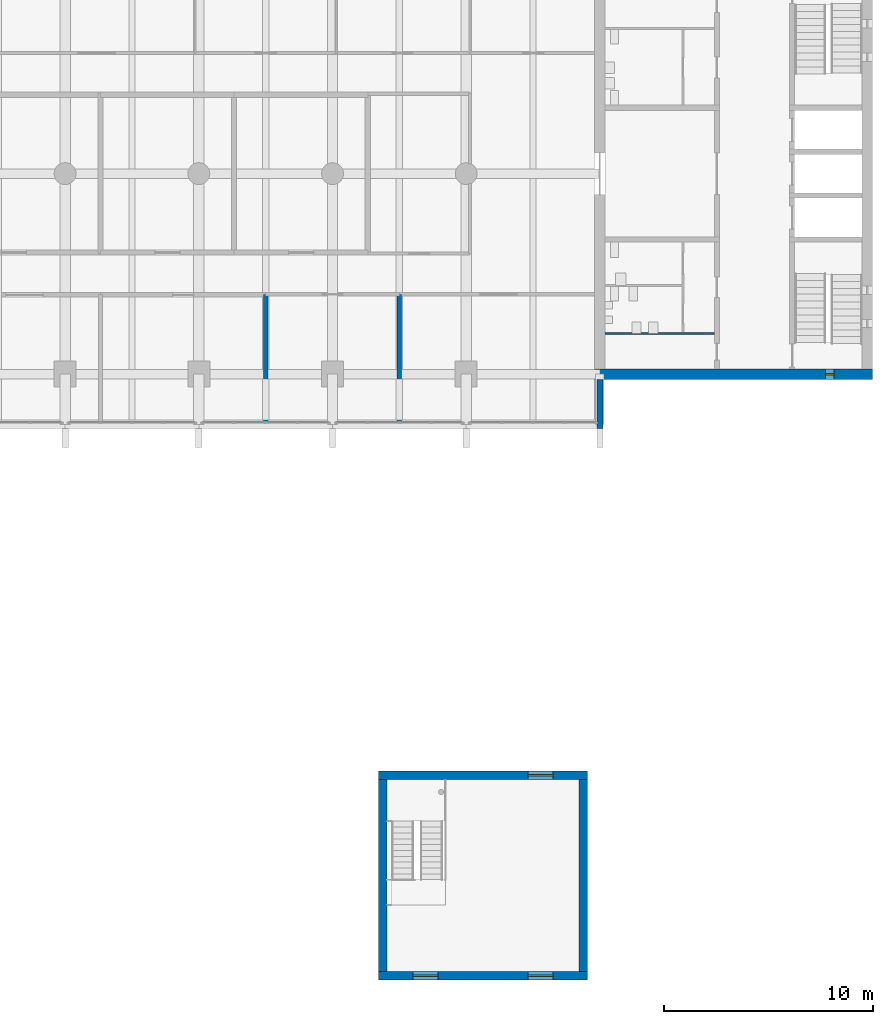
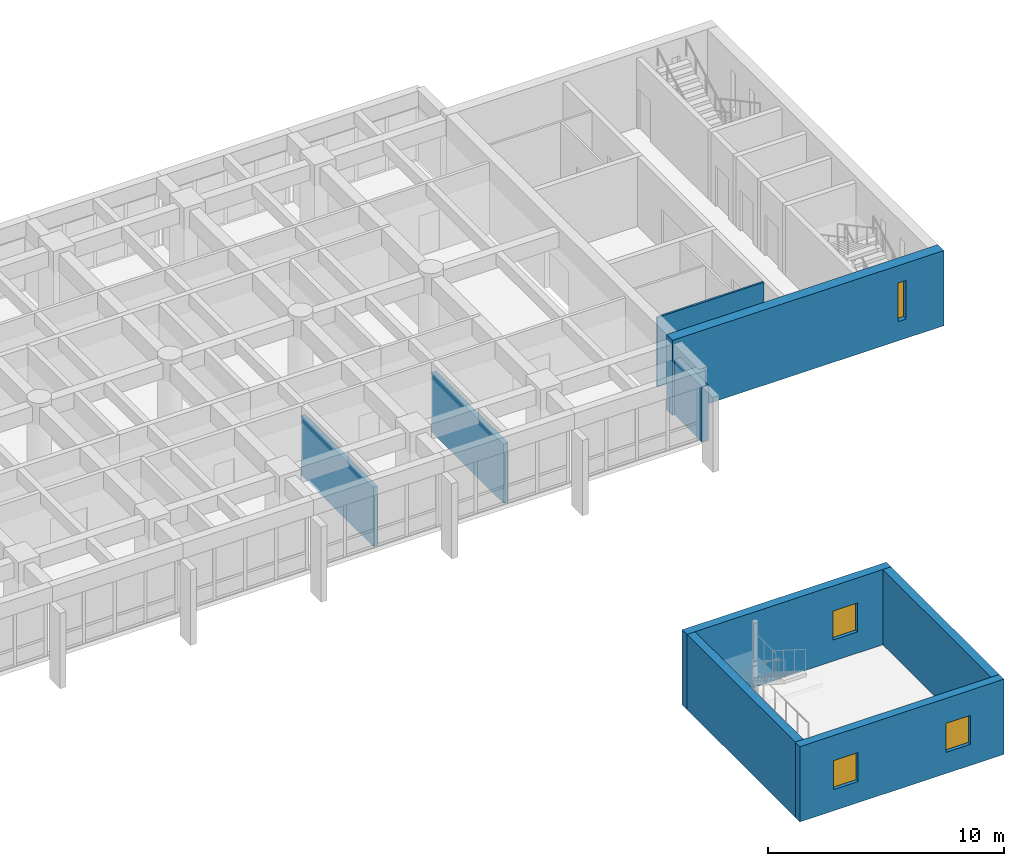
# One storey, part 10 of 19: 9 walls, 4 windows, 4 openings.
"""IFC4 building model written with IfcOpenShell, lengths in metres."""

from ifc_helpers import new_model, si_unit, direction, frame, frame_2d, origin, place, context, subcontext, project, spatial, rectangle, extrude, material, layer, layer_set, type_object, element, fill, save


model = new_model("IFC4")

# Units and contexts
model_context = context("Model", 3, precision=1e-05, world=origin(), true_north=direction((0.0, 1.0)))
body_context = subcontext(model_context, "Body", "Model", "MODEL_VIEW")
ifc_project = project(units=[si_unit("LENGTHUNIT", "METRE"), si_unit("AREAUNIT", "SQUARE_METRE"), si_unit("VOLUMEUNIT", "CUBIC_METRE"), si_unit("PLANEANGLEUNIT", "RADIAN"), si_unit("MASSUNIT", "GRAM", prefix="KILO")], contexts=[model_context])

# Site, building, storey
site_placement = place(None, origin())
site = spatial("IfcSite", under=ifc_project, at=site_placement, CompositionType="ELEMENT")
building_placement = place(site_placement, origin())
building = spatial("IfcBuilding", under=site, at=building_placement, Name="Fogon Plaza Fire Station and Headquarters Tower", CompositionType="ELEMENT")
storey_placement = place(building_placement, frame((0.0, 0.0, 21.0)))
storey = spatial("IfcBuildingStorey", under=building, at=storey_placement, Name="L05", CompositionType="ELEMENT", Elevation=21.0)

# Walls
ifc_material_1 = material(Name="Concrete C40", Category="concrete")
ifc_layer_1 = layer(ifc_material_1, 0.300048828125)
ifc_layer_set_1 = layer_set([ifc_layer_1], Name="Concrete C40")
wall_type_1 = type_object("IfcWallType", Name="Fair-faced RC Return Panel 300", PredefinedType="SOLIDWALL", material=ifc_layer_set_1)
wall_1_placement = place(storey_placement, frame((64.0, 31.0, 0.0), z_axis=(0.0, 0.0, 1.0), x_axis=(0.0, 1.0, 0.0)))
element("IfcWall", 1, at=wall_1_placement, inside=storey, type_object=wall_type_1, Name="Bar end return ES L05", PredefinedType="SOLIDWALL", context=body_context, shape_type="SweptSolid", body=[
    extrude(rectangle(XDim=2.35009765625, YDim=0.300048828125, at=frame_2d((1.175048828125, 0.0))), origin(), (0.0, 0.0, 1.0), 2.8798828125),
])
ifc_material_2 = material(Name="Blockwork", Category="masonry")
ifc_layer_2 = layer(ifc_material_2, 0.10009765625)
ifc_layer_set_2 = layer_set([ifc_layer_2], Name="Blockwork")
wall_type_2 = type_object("IfcWallType", Name="Partition Blockwork 100", PredefinedType="PARTITIONING", material=ifc_layer_set_2)
wall_2_placement = place(storey_placement, frame((69.47509765625, 35.550048828125, 0.0), z_axis=(0.0, 0.0, 1.0), x_axis=(-1.0, 0.0, 0.0)))
element("IfcWall", 2, at=wall_2_placement, inside=storey, type_object=wall_type_2, Name="Cleaner's store partition", PredefinedType="PARTITIONING", context=body_context, shape_type="SweptSolid", body=[
    extrude(rectangle(XDim=5.22509765625, YDim=0.10009765625, at=frame_2d((2.612548828125, 0.0))), origin(), (0.0, 0.0, 1.0), 3.60009765625),
])

# Wall, opening, window
ifc_material_3 = material(Name="Concrete C40", Category="concrete")
ifc_layer_3 = layer(ifc_material_3, 0.39990234375)
ifc_layer_set_3 = layer_set([ifc_layer_3], Name="Concrete C40")
wall_type_3 = type_object("IfcWallType", Name="Shear wall 400 DW40", PredefinedType="SHEAR", material=ifc_layer_set_3)
wall_3_placement = place(storey_placement, frame((53.39990234375, 14.39990234375, 0.0), z_axis=(0.0, 0.0, 1.0), x_axis=(1.0, 0.0, 0.0)))
wall_3 = element("IfcWall", 3, at=wall_3_placement, inside=storey, type_object=wall_type_3, Name="wall-drill-N-L05", PredefinedType="SHEAR", context=body_context, shape_type="SweptSolid", body=[
    extrude(rectangle(XDim=10.0, YDim=0.39990234375, at=frame_2d((5.0, 0.0))), origin(), (0.0, 0.0, 1.0), 3.89990234375),
])
opening_1_placement = place(wall_3_placement, frame((7.14990234375, 0.0, 1.10009765625)))
opening_1 = element("IfcOpeningElement", 4, at=opening_1_placement, cuts=wall_3, Name="Opening WT1", PredefinedType="OPENING", context=body_context, shape_type="SweptSolid", body=[
    extrude(rectangle(XDim=1.199951171875, YDim=1.5, at=frame_2d((0.60009765625, 0.75))), frame((0.0, 0.2099609375, 0.0), z_axis=(0.0, -1.0, 0.0), x_axis=(1.0, 0.0, 0.0)), (0.0, 0.0, 1.0), 0.419921875),
])
ifc_material_4 = material(Name="Galvanised steel framed glazing with grille", Category="steel")
window_type_1 = type_object("IfcWindowType", Name="Training Opening WT1 1200x1500", PartitioningType="SINGLE_PANEL", PredefinedType="WINDOW", material=ifc_material_4)
window_1_placement = place(opening_1_placement, origin())
window_1 = element("IfcWindow", 5, at=window_1_placement, inside=storey, type_object=window_type_1, Name="Training opening N L05", OverallHeight=1.5, OverallWidth=1.199951171875, PartitioningType="SINGLE_PANEL", PredefinedType="WINDOW", context=body_context, shape_type="SweptSolid", body=[
    extrude(rectangle(XDim=1.199951171875, YDim=1.5, at=frame_2d((0.60009765625, 0.75))), frame((0.0, 0.030029296875, 0.0), z_axis=(0.0, -1.0, 0.0), x_axis=(1.0, 0.0, 0.0)), (0.0, 0.0, 1.0), 0.06005859375),
])
fill(opening_1, window_1)

# Wall, openings, windows
wall_4_placement = place(storey_placement, frame((53.39990234375, 4.800048828125, 0.0), z_axis=(0.0, 0.0, 1.0), x_axis=(1.0, 0.0, 0.0)))
wall_4 = element("IfcWall", 6, at=wall_4_placement, inside=storey, type_object=wall_type_3, Name="wall-drill-S-L05", PredefinedType="SHEAR", context=body_context, shape_type="SweptSolid", body=[
    extrude(rectangle(XDim=10.0, YDim=0.39990234375, at=frame_2d((5.0, 0.0))), origin(), (0.0, 0.0, 1.0), 3.89990234375),
])
opening_2_placement = place(wall_4_placement, frame((1.64990234375, 0.0, 1.10009765625)))
opening_2 = element("IfcOpeningElement", 7, at=opening_2_placement, cuts=wall_4, Name="Opening WT1", PredefinedType="OPENING", context=body_context, shape_type="SweptSolid", body=[
    extrude(rectangle(XDim=1.199951171875, YDim=1.5, at=frame_2d((0.60009765625, 0.75))), frame((0.0, 0.2099609375, 0.0), z_axis=(0.0, -1.0, 0.0), x_axis=(1.0, 0.0, 0.0)), (0.0, 0.0, 1.0), 0.419921875),
])
opening_3_placement = place(wall_4_placement, frame((7.14990234375, 0.0, 1.10009765625)))
opening_3 = element("IfcOpeningElement", 8, at=opening_3_placement, cuts=wall_4, Name="Opening WT1", PredefinedType="OPENING", context=body_context, shape_type="SweptSolid", body=[
    extrude(rectangle(XDim=1.199951171875, YDim=1.5, at=frame_2d((0.60009765625, 0.75))), frame((0.0, 0.2099609375, 0.0), z_axis=(0.0, -1.0, 0.0), x_axis=(1.0, 0.0, 0.0)), (0.0, 0.0, 1.0), 0.419921875),
])
window_2_placement = place(opening_2_placement, origin())
window_2 = element("IfcWindow", 9, at=window_2_placement, inside=storey, type_object=window_type_1, Name="Training opening S L05", OverallHeight=1.5, OverallWidth=1.199951171875, PartitioningType="SINGLE_PANEL", PredefinedType="WINDOW", context=body_context, shape_type="SweptSolid", body=[
    extrude(rectangle(XDim=1.199951171875, YDim=1.5, at=frame_2d((0.60009765625, 0.75))), frame((0.0, 0.030029296875, 0.0), z_axis=(0.0, -1.0, 0.0), x_axis=(1.0, 0.0, 0.0)), (0.0, 0.0, 1.0), 0.06005859375),
])
fill(opening_2, window_2)
window_3_placement = place(opening_3_placement, origin())
window_3 = element("IfcWindow", 10, at=window_3_placement, inside=storey, type_object=window_type_1, Name="Training opening S L05", OverallHeight=1.5, OverallWidth=1.199951171875, PartitioningType="SINGLE_PANEL", PredefinedType="WINDOW", context=body_context, shape_type="SweptSolid", body=[
    extrude(rectangle(XDim=1.199951171875, YDim=1.5, at=frame_2d((0.60009765625, 0.75))), frame((0.0, 0.030029296875, 0.0), z_axis=(0.0, -1.0, 0.0), x_axis=(1.0, 0.0, 0.0)), (0.0, 0.0, 1.0), 0.06005859375),
])
fill(opening_3, window_3)

# Walls
for number, where, z_axis, x_axis, name in (
    (11, (63.199951171875, 5.0, 0.0), (0.0, 0.0, 1.0), (0.0, 1.0, 0.0), "wall-drill-E-L05"),
    (12, (53.60009765625, 5.0, 0.0), (0.0, 0.0, 1.0), (0.0, 1.0, 0.0), "wall-drill-W-L05"),
):
    element("IfcWall", number, at=place(storey_placement, frame(where, z_axis=z_axis, x_axis=x_axis)), inside=storey, type_object=wall_type_3, Name=name, PredefinedType="SHEAR", context=body_context, shape_type="SweptSolid", body=[
        extrude(rectangle(XDim=9.199951171875, YDim=0.39990234375, at=frame_2d((4.60009765625, 0.0))), origin(), (0.0, 0.0, 1.0), 3.89990234375),
    ])

# Wall, opening, window
ifc_material_5 = material(Name="Concrete C40", Category="concrete")
ifc_layer_4 = layer(ifc_material_5, 0.5)
ifc_layer_set_4 = layer_set([ifc_layer_4], Name="Concrete C40")
wall_type_4 = type_object("IfcWallType", Name="Shear wall 500 SW50", PredefinedType="SHEAR", material=ifc_layer_set_4)
wall_5_placement = place(storey_placement, frame((63.75, 33.60009765625, 0.0), z_axis=(0.0, 0.0, 1.0), x_axis=(1.0, 0.0, 0.0)))
wall_5 = element("IfcWall", 13, at=wall_5_placement, inside=storey, type_object=wall_type_4, Name="wall-coreB-S-L05", PredefinedType="SHEAR", context=body_context, shape_type="SweptSolid", body=[
    extrude(rectangle(XDim=13.300048828125, YDim=0.5, at=frame_2d((6.64990234375, 0.0))), origin(), (0.0, 0.0, 1.0), 3.89990234375),
])
opening_4_placement = place(wall_5_placement, frame((11.050048828125, 0.0, 1.0)))
opening_4 = element("IfcOpeningElement", 14, at=opening_4_placement, cuts=wall_5, Name="Opening WS1", PredefinedType="OPENING", context=body_context, shape_type="SweptSolid", body=[
    extrude(rectangle(XDim=0.39990234375, YDim=2.0, at=frame_2d((0.199951171875, 1.0))), frame((0.0, 0.260009765625, 0.0), z_axis=(0.0, -1.0, 0.0), x_axis=(1.0, 0.0, 0.0)), (0.0, 0.0, 1.0), 0.52001953125),
])
ifc_material_6 = material(Name="Aluminium framed double glazing", Category="aluminium")
window_type_2 = type_object("IfcWindowType", Name="Slit Window WS1 400x2000", PartitioningType="SINGLE_PANEL", PredefinedType="WINDOW", material=ifc_material_6)
window_4_placement = place(opening_4_placement, origin())
window_4 = element("IfcWindow", 15, at=window_4_placement, inside=storey, type_object=window_type_2, Name="Slit window B5 L05", OverallHeight=2.0, OverallWidth=0.39990234375, PartitioningType="SINGLE_PANEL", PredefinedType="WINDOW", context=body_context, shape_type="SweptSolid", body=[
    extrude(rectangle(XDim=0.39990234375, YDim=2.0, at=frame_2d((0.199951171875, 1.0))), frame((0.0, 0.030029296875, 0.0), z_axis=(0.0, -1.0, 0.0), x_axis=(1.0, 0.0, 0.0)), (0.0, 0.0, 1.0), 0.06005859375),
])
fill(opening_4, window_4)

# Walls
ifc_material_7 = material(Name="Timber veneer panel on twin steel stud", Category="steel")
ifc_layer_5 = layer(ifc_material_7, 0.22509765625)
ifc_layer_set_5 = layer_set([ifc_layer_5], Name="Timber veneer panel on twin steel stud")
wall_type_5 = type_object("IfcWallType", Name="Tower boardroom partition 225 Beam Head 600", PredefinedType="PARTITIONING", material=ifc_layer_set_5)
wall_6_placement = place(storey_placement, frame((54.39990234375, 31.300048828125, 0.0), z_axis=(0.0, 0.0, 1.0), x_axis=(0.0, 1.0, 0.0)))
element("IfcWall", 16, at=wall_6_placement, inside=storey, type_object=wall_type_5, Name="part-L05-07", PredefinedType="PARTITIONING", context=body_context, shape_type="SweptSolid", body=[
    extrude(rectangle(XDim=6.125, YDim=0.22509765625, at=frame_2d((3.0625, 0.0))), origin(), (0.0, 0.0, 1.0), 3.080078125),
])
ifc_material_8 = material(Name="Concrete block masonry", Category="masonry")
ifc_layer_6 = layer(ifc_material_8, 0.199951171875)
ifc_layer_set_6 = layer_set([ifc_layer_6], Name="Concrete block masonry")
wall_type_6 = type_object("IfcWallType", Name="Tower compartment wall 200 EI 120 Beam Head 600", PredefinedType="PARTITIONING", material=ifc_layer_set_6)
wall_7_placement = place(storey_placement, frame((48.0, 31.300048828125, 0.0), z_axis=(0.0, 0.0, 1.0), x_axis=(0.0, 1.0, 0.0)))
element("IfcWall", 17, at=wall_7_placement, inside=storey, type_object=wall_type_6, Name="part-L05-06", PredefinedType="PARTITIONING", context=body_context, shape_type="SweptSolid", body=[
    extrude(rectangle(XDim=6.125, YDim=0.199951171875, at=frame_2d((3.0625, 0.0))), origin(), (0.0, 0.0, 1.0), 3.080078125),
])

save(model, "model.ifc")
